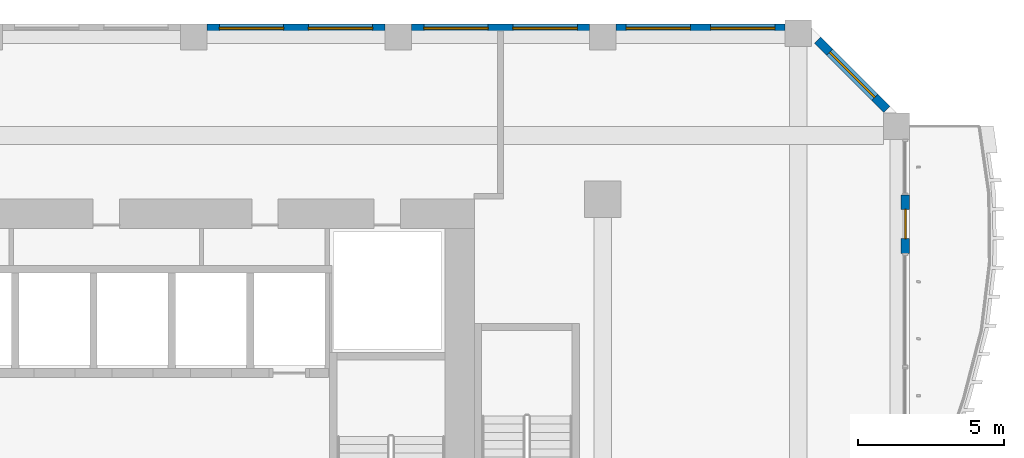
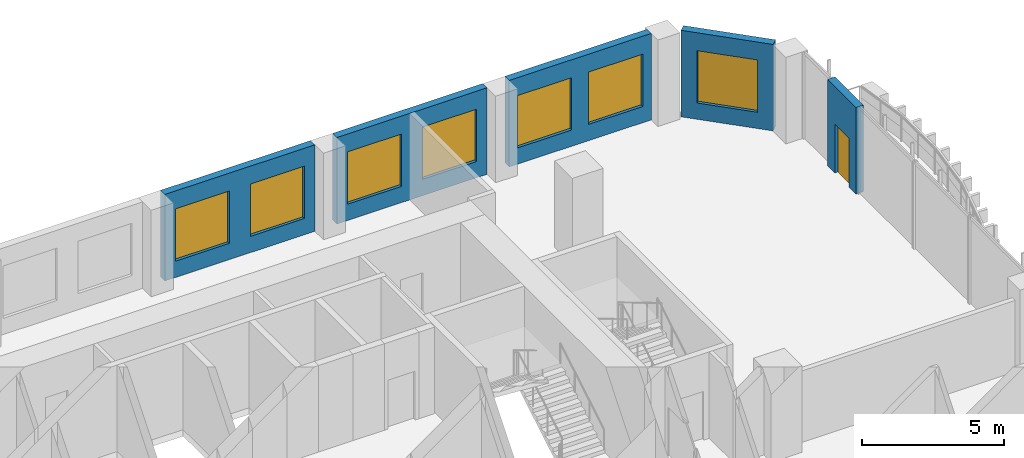
# One storey, part 18 of 28: 7 windows, 5 walls, 1 door, 8 openings.
"""IFC4 building model written with IfcOpenShell, lengths in metres."""

from ifc_helpers import new_model, si_unit, direction, frame, frame_2d, origin, place, context, subcontext, project, spatial, rectangle, extrude, source, transform, mapped, material, layer, layer_set, type_object, element, fill, save


model = new_model("IFC4")

# Units and contexts
model_context = context("Model", 3, precision=1e-05, world=origin(), true_north=direction((0.0, 1.0)))
body_context = subcontext(model_context, "Body", "Model", "MODEL_VIEW")
ifc_project = project(units=[si_unit("LENGTHUNIT", "METRE"), si_unit("AREAUNIT", "SQUARE_METRE"), si_unit("VOLUMEUNIT", "CUBIC_METRE"), si_unit("PLANEANGLEUNIT", "RADIAN"), si_unit("MASSUNIT", "GRAM", prefix="KILO")], contexts=[model_context])

# Site, building, storey
site_placement = place(None, origin())
site = spatial("IfcSite", under=ifc_project, at=site_placement, CompositionType="ELEMENT")
building_placement = place(site_placement, origin())
building = spatial("IfcBuilding", under=site, at=building_placement, Name="Kilnfold Tower and Market Hall", CompositionType="ELEMENT")
storey_placement = place(building_placement, frame((0.0, 0.0, 87.199951171875)))
storey = spatial("IfcBuildingStorey", under=building, at=storey_placement, Name="L20", CompositionType="ELEMENT", Elevation=87.199951171875)

# Wall, opening, door
ifc_material_1 = material(Name="Precast concrete C50/60", Category="concrete")
ifc_layer = layer(ifc_material_1, 0.300048828125)
ifc_layer_set = layer_set([ifc_layer], Name="Precast concrete C50/60")
wall_type = type_object("IfcWallType", Name="PRECAST WALL 300", PredefinedType="SOLIDWALL", material=ifc_layer_set)
shared_shape_1 = source(origin(), body_context, "Body", "SweptSolid", [
    extrude(rectangle(XDim=2.0, YDim=0.300048828125, at=frame_2d((1.0, 0.0))), origin(), (0.0, 0.0, 1.0), 3.719970703125),
])
wall_1_placement = place(storey_placement, frame((32.85009765625, 20.14990234375, 0.0), z_axis=(0.0, 0.0, 1.0), x_axis=(0.0, 1.0, 0.0)))
wall_1 = element("IfcWall", 1, at=wall_1_placement, inside=storey, type_object=wall_type, Name="External wall L20 E", PredefinedType="SOLIDWALL", context=body_context, shape_type="MappedRepresentation", body=[
    mapped(shared_shape_1, transform((0.0, 0.0, 0.0))),
])
opening_1_placement = place(wall_1_placement, frame((0.5, 0.0, 0.0)))
opening_1 = element("IfcOpeningElement", 2, at=opening_1_placement, cuts=wall_1, Name="Opening BD1", PredefinedType="OPENING", context=body_context, shape_type="SweptSolid", body=[
    extrude(rectangle(XDim=1.0, YDim=2.10009765625, at=frame_2d((0.5, 1.050048828125))), frame((0.0, 0.16015625, 0.0), z_axis=(0.0, -1.0, 0.0), x_axis=(1.0, 0.0, 0.0)), (0.0, 0.0, 1.0), 0.320068359375),
])
ifc_material_2 = material(Name="Aluminium frame and double glazing", Category="aluminium")
door_type = type_object("IfcDoorType", Name="BALCONY DOOR 1000X2100", OperationType="NOTDEFINED", PredefinedType="DOOR", material=ifc_material_2)
door_placement = place(opening_1_placement, origin())
door = element("IfcDoor", 3, at=door_placement, inside=storey, type_object=door_type, Name="Balcony door BD1 L20 E-4", OperationType="SINGLE_SWING_RIGHT", OverallHeight=2.10009765625, OverallWidth=1.0, PredefinedType="DOOR", context=body_context, shape_type="SweptSolid", body=[
    extrude(rectangle(XDim=1.0, YDim=2.10009765625, at=frame_2d((0.5, 1.050048828125))), frame((0.0, 0.02490234375, 0.0), z_axis=(0.0, -1.0, 0.0), x_axis=(1.0, 0.0, 0.0)), (0.0, 0.0, 1.0), 0.050048828125),
])
fill(opening_1, door)

# Wall, opening, window
shared_shape_2 = source(origin(), body_context, "Body", "SweptSolid", [
    extrude(rectangle(XDim=3.35888671875, YDim=0.300048828125, at=frame_2d((1.679443359375, 0.0))), origin(), (0.0, 0.0, 1.0), 3.719970703125),
])
wall_2_placement = place(storey_placement, frame((32.218994140625, 25.06884765625, 0.0), z_axis=(0.0, 0.0, 1.0), x_axis=(-0.707070438228, 0.707143122278, 0.0)))
wall_2 = element("IfcWall", 4, at=wall_2_placement, inside=storey, type_object=wall_type, Name="External wall L20 NE", PredefinedType="SOLIDWALL", context=body_context, shape_type="MappedRepresentation", body=[
    mapped(shared_shape_2, transform((0.0, 0.0, 0.0))),
])
opening_2_placement = place(wall_2_placement, frame((0.579345703125, 0.0, 0.699951171875)))
opening_2 = element("IfcOpeningElement", 5, at=opening_2_placement, cuts=wall_2, Name="Opening W1", PredefinedType="OPENING", context=body_context, shape_type="SweptSolid", body=[
    extrude(rectangle(XDim=2.199951171875, YDim=2.25, at=frame_2d((1.10009765625, 1.125))), frame((0.0, 0.16015625, 0.0), z_axis=(0.0, -1.0, 0.0), x_axis=(1.0, 0.0, 0.0)), (0.0, 0.0, 1.0), 0.320068359375),
])
ifc_material_3 = material(Name="Aluminium frame and double glazing", Category="aluminium")
window_type = type_object("IfcWindowType", Name="WINDOW W1 2200X2250", PartitioningType="SINGLE_PANEL", PredefinedType="WINDOW", material=ifc_material_3)
window_1_placement = place(opening_2_placement, origin())
window_1 = element("IfcWindow", 6, at=window_1_placement, inside=storey, type_object=window_type, Name="Window W1 L20 NE-1", OverallHeight=2.25, OverallWidth=2.199951171875, PartitioningType="SINGLE_PANEL", PredefinedType="WINDOW", context=body_context, shape_type="SweptSolid", body=[
    extrude(rectangle(XDim=2.199951171875, YDim=2.25, at=frame_2d((1.10009765625, 1.125))), frame((0.0, 0.030029296875, 0.0), z_axis=(0.0, -1.0, 0.0), x_axis=(1.0, 0.0, 0.0)), (0.0, 0.0, 1.0), 0.06005859375),
])
fill(opening_2, window_1)

# Wall, openings, windows
shared_shape_3 = source(origin(), body_context, "Body", "SweptSolid", [
    extrude(rectangle(XDim=5.78173828125, YDim=0.300048828125, at=frame_2d((2.890869140625, 0.0))), origin(), (0.0, 0.0, 1.0), 3.719970703125),
])
wall_3_placement = place(storey_placement, frame((28.731689453125, 27.85009765625, 0.0), z_axis=(0.0, 0.0, 1.0), x_axis=(-1.0, 0.0, 0.0)))
wall_3 = element("IfcWall", 7, at=wall_3_placement, inside=storey, type_object=wall_type, Name="External wall L20 N", PredefinedType="SOLIDWALL", context=body_context, shape_type="MappedRepresentation", body=[
    mapped(shared_shape_3, transform((0.0, 0.0, 0.0))),
])
opening_3_placement = place(wall_3_placement, frame((0.345458984375, 0.0, 0.699951171875)))
opening_3 = element("IfcOpeningElement", 8, at=opening_3_placement, cuts=wall_3, Name="Opening W1", PredefinedType="OPENING", context=body_context, shape_type="SweptSolid", body=[
    extrude(rectangle(XDim=2.199951171875, YDim=2.25, at=frame_2d((1.10009765625, 1.125))), frame((0.0, 0.16015625, 0.0), z_axis=(0.0, -1.0, 0.0), x_axis=(1.0, 0.0, 0.0)), (0.0, 0.0, 1.0), 0.320068359375),
])
opening_4_placement = place(wall_3_placement, frame((3.236328125, 0.0, 0.699951171875)))
opening_4 = element("IfcOpeningElement", 9, at=opening_4_placement, cuts=wall_3, Name="Opening W1", PredefinedType="OPENING", context=body_context, shape_type="SweptSolid", body=[
    extrude(rectangle(XDim=2.199951171875, YDim=2.25, at=frame_2d((1.10009765625, 1.125))), frame((0.0, 0.16015625, 0.0), z_axis=(0.0, -1.0, 0.0), x_axis=(1.0, 0.0, 0.0)), (0.0, 0.0, 1.0), 0.320068359375),
])
window_2_placement = place(opening_3_placement, origin())
window_2 = element("IfcWindow", 10, at=window_2_placement, inside=storey, type_object=window_type, Name="Window W1 L20 N-1", OverallHeight=2.25, OverallWidth=2.199951171875, PartitioningType="SINGLE_PANEL", PredefinedType="WINDOW", context=body_context, shape_type="SweptSolid", body=[
    extrude(rectangle(XDim=2.199951171875, YDim=2.25, at=frame_2d((1.10009765625, 1.125))), frame((0.0, 0.030029296875, 0.0), z_axis=(0.0, -1.0, 0.0), x_axis=(1.0, 0.0, 0.0)), (0.0, 0.0, 1.0), 0.06005859375),
])
fill(opening_3, window_2)
window_3_placement = place(opening_4_placement, origin())
window_3 = element("IfcWindow", 11, at=window_3_placement, inside=storey, type_object=window_type, Name="Window W1 L20 N-2", OverallHeight=2.25, OverallWidth=2.199951171875, PartitioningType="SINGLE_PANEL", PredefinedType="WINDOW", context=body_context, shape_type="SweptSolid", body=[
    extrude(rectangle(XDim=2.199951171875, YDim=2.25, at=frame_2d((1.10009765625, 1.125))), frame((0.0, 0.030029296875, 0.0), z_axis=(0.0, -1.0, 0.0), x_axis=(1.0, 0.0, 0.0)), (0.0, 0.0, 1.0), 0.06005859375),
])
fill(opening_4, window_3)

shared_shape_4 = source(origin(), body_context, "Body", "SweptSolid", [
    extrude(rectangle(XDim=6.10009765625, YDim=0.300048828125, at=frame_2d((3.050048828125, 0.0))), origin(), (0.0, 0.0, 1.0), 3.719970703125),
])
wall_4_placement = place(storey_placement, frame((22.050048828125, 27.85009765625, 0.0), z_axis=(0.0, 0.0, 1.0), x_axis=(-1.0, 0.0, 0.0)))
wall_4 = element("IfcWall", 12, at=wall_4_placement, inside=storey, type_object=wall_type, Name="External wall L20 N", PredefinedType="SOLIDWALL", context=body_context, shape_type="MappedRepresentation", body=[
    mapped(shared_shape_4, transform((0.0, 0.0, 0.0))),
])
opening_5_placement = place(wall_4_placement, frame((0.425048828125, 0.0, 0.699951171875)))
opening_5 = element("IfcOpeningElement", 13, at=opening_5_placement, cuts=wall_4, Name="Opening W1", PredefinedType="OPENING", context=body_context, shape_type="SweptSolid", body=[
    extrude(rectangle(XDim=2.199951171875, YDim=2.25, at=frame_2d((1.10009765625, 1.125))), frame((0.0, 0.16015625, 0.0), z_axis=(0.0, -1.0, 0.0), x_axis=(1.0, 0.0, 0.0)), (0.0, 0.0, 1.0), 0.320068359375),
])
opening_6_placement = place(wall_4_placement, frame((3.47509765625, 0.0, 0.699951171875)))
opening_6 = element("IfcOpeningElement", 14, at=opening_6_placement, cuts=wall_4, Name="Opening W1", PredefinedType="OPENING", context=body_context, shape_type="SweptSolid", body=[
    extrude(rectangle(XDim=2.199951171875, YDim=2.25, at=frame_2d((1.10009765625, 1.125))), frame((0.0, 0.16015625, 0.0), z_axis=(0.0, -1.0, 0.0), x_axis=(1.0, 0.0, 0.0)), (0.0, 0.0, 1.0), 0.320068359375),
])
window_4_placement = place(opening_5_placement, origin())
window_4 = element("IfcWindow", 15, at=window_4_placement, inside=storey, type_object=window_type, Name="Window W1 L20 N-1", OverallHeight=2.25, OverallWidth=2.199951171875, PartitioningType="SINGLE_PANEL", PredefinedType="WINDOW", context=body_context, shape_type="SweptSolid", body=[
    extrude(rectangle(XDim=2.199951171875, YDim=2.25, at=frame_2d((1.10009765625, 1.125))), frame((0.0, 0.030029296875, 0.0), z_axis=(0.0, -1.0, 0.0), x_axis=(1.0, 0.0, 0.0)), (0.0, 0.0, 1.0), 0.06005859375),
])
fill(opening_5, window_4)
window_5_placement = place(opening_6_placement, origin())
window_5 = element("IfcWindow", 16, at=window_5_placement, inside=storey, type_object=window_type, Name="Window W1 L20 N-2", OverallHeight=2.25, OverallWidth=2.199951171875, PartitioningType="SINGLE_PANEL", PredefinedType="WINDOW", context=body_context, shape_type="SweptSolid", body=[
    extrude(rectangle(XDim=2.199951171875, YDim=2.25, at=frame_2d((1.10009765625, 1.125))), frame((0.0, 0.030029296875, 0.0), z_axis=(0.0, -1.0, 0.0), x_axis=(1.0, 0.0, 0.0)), (0.0, 0.0, 1.0), 0.06005859375),
])
fill(opening_6, window_5)

wall_5_placement = place(storey_placement, frame((15.050048828125, 27.85009765625, 0.0), z_axis=(0.0, 0.0, 1.0), x_axis=(-1.0, 0.0, 0.0)))
wall_5 = element("IfcWall", 17, at=wall_5_placement, inside=storey, type_object=wall_type, Name="External wall L20 N", PredefinedType="SOLIDWALL", context=body_context, shape_type="MappedRepresentation", body=[
    mapped(shared_shape_4, transform((0.0, 0.0, 0.0))),
])
opening_7_placement = place(wall_5_placement, frame((0.425048828125, 0.0, 0.699951171875)))
opening_7 = element("IfcOpeningElement", 18, at=opening_7_placement, cuts=wall_5, Name="Opening W1", PredefinedType="OPENING", context=body_context, shape_type="SweptSolid", body=[
    extrude(rectangle(XDim=2.199951171875, YDim=2.25, at=frame_2d((1.10009765625, 1.125))), frame((0.0, 0.16015625, 0.0), z_axis=(0.0, -1.0, 0.0), x_axis=(1.0, 0.0, 0.0)), (0.0, 0.0, 1.0), 0.320068359375),
])
opening_8_placement = place(wall_5_placement, frame((3.47509765625, 0.0, 0.699951171875)))
opening_8 = element("IfcOpeningElement", 19, at=opening_8_placement, cuts=wall_5, Name="Opening W1", PredefinedType="OPENING", context=body_context, shape_type="SweptSolid", body=[
    extrude(rectangle(XDim=2.199951171875, YDim=2.25, at=frame_2d((1.10009765625, 1.125))), frame((0.0, 0.16015625, 0.0), z_axis=(0.0, -1.0, 0.0), x_axis=(1.0, 0.0, 0.0)), (0.0, 0.0, 1.0), 0.320068359375),
])
window_6_placement = place(opening_7_placement, origin())
window_6 = element("IfcWindow", 20, at=window_6_placement, inside=storey, type_object=window_type, Name="Window W1 L20 N-1", OverallHeight=2.25, OverallWidth=2.199951171875, PartitioningType="SINGLE_PANEL", PredefinedType="WINDOW", context=body_context, shape_type="SweptSolid", body=[
    extrude(rectangle(XDim=2.199951171875, YDim=2.25, at=frame_2d((1.10009765625, 1.125))), frame((0.0, 0.030029296875, 0.0), z_axis=(0.0, -1.0, 0.0), x_axis=(1.0, 0.0, 0.0)), (0.0, 0.0, 1.0), 0.06005859375),
])
fill(opening_7, window_6)
window_7_placement = place(opening_8_placement, origin())
window_7 = element("IfcWindow", 21, at=window_7_placement, inside=storey, type_object=window_type, Name="Window W1 L20 N-2", OverallHeight=2.25, OverallWidth=2.199951171875, PartitioningType="SINGLE_PANEL", PredefinedType="WINDOW", context=body_context, shape_type="SweptSolid", body=[
    extrude(rectangle(XDim=2.199951171875, YDim=2.25, at=frame_2d((1.10009765625, 1.125))), frame((0.0, 0.030029296875, 0.0), z_axis=(0.0, -1.0, 0.0), x_axis=(1.0, 0.0, 0.0)), (0.0, 0.0, 1.0), 0.06005859375),
])
fill(opening_8, window_7)

save(model, "model.ifc")
